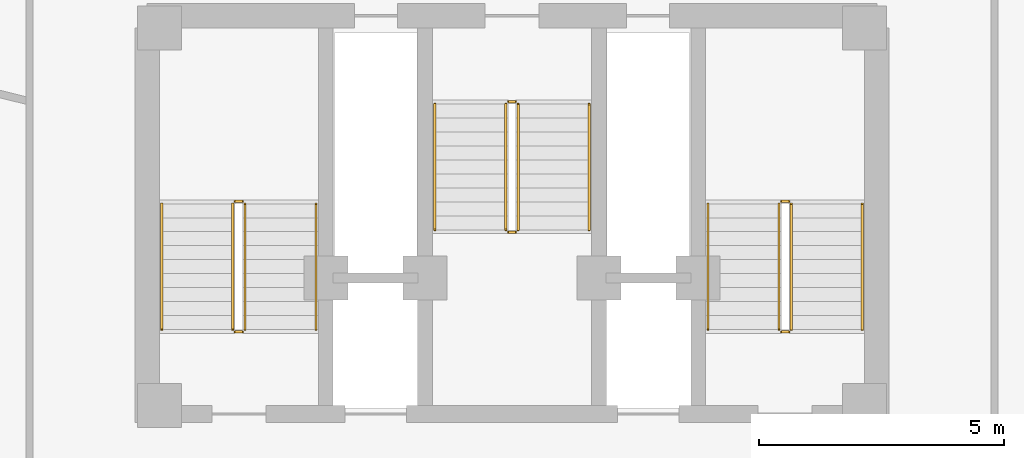
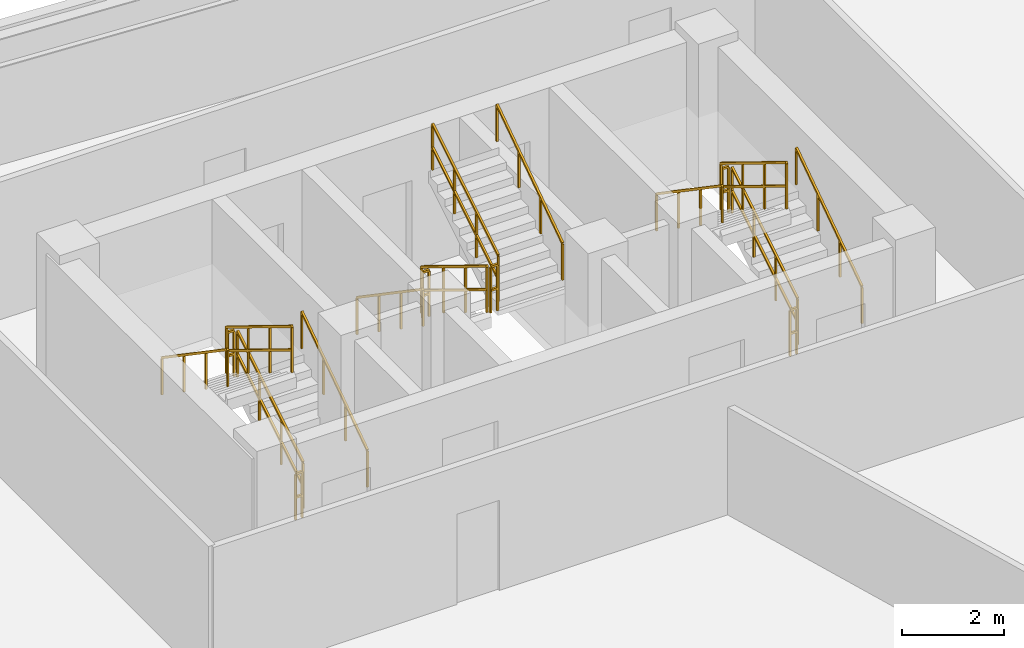
# One storey, part 5 of 5: 18 railings.
"""IFC4 building model written with IfcOpenShell, lengths in metres."""

from ifc_helpers import new_model, si_unit, direction, frame, origin, origin_2d, place, context, subcontext, project, spatial, rectangle, extrude, material, type_object, element, save


model = new_model("IFC4")

# Units and contexts
model_context = context("Model", 3, precision=1e-05, world=origin(), true_north=direction((0.0, 1.0)))
body_context = subcontext(model_context, "Body", "Model", "MODEL_VIEW")
ifc_project = project(units=[si_unit("LENGTHUNIT", "METRE"), si_unit("AREAUNIT", "SQUARE_METRE"), si_unit("VOLUMEUNIT", "CUBIC_METRE"), si_unit("PLANEANGLEUNIT", "RADIAN"), si_unit("MASSUNIT", "GRAM", prefix="KILO")], contexts=[model_context])

# Site, building, storey
site_placement = place(None, origin())
site = spatial("IfcSite", under=ifc_project, at=site_placement, CompositionType="ELEMENT")
building_placement = place(site_placement, origin())
building = spatial("IfcBuilding", under=site, at=building_placement, Name="Apsidion Concourse Tower", CompositionType="ELEMENT")
storey_placement = place(building_placement, frame((0.0, 0.0, 339.5)))
storey = spatial("IfcBuildingStorey", under=building, at=storey_placement, Name="L80", CompositionType="ELEMENT", Elevation=339.5)

# Railings
ifc_material = material(Name="Brushed stainless steel 316", Category="steel")
railing_type_1 = type_object("IfcRailingType", Name="RL-GUARD-1100", PredefinedType="GUARDRAIL", material=ifc_material)
railing_1_placement = place(storey_placement, frame((-5.449951171875, 3.0, 0.175048828125)))
element("IfcRailing", 1, at=railing_1_placement, inside=storey, type_object=railing_type_1, Name="L80 ST1 stair guard 1", PredefinedType="GUARDRAIL", context=body_context, shape_type="SweptSolid", body=[
    extrude(rectangle(XDim=0.048095703125, YDim=0.048095703125, at=origin_2d()), frame((0.0, 0.0, 1.09619140625), z_axis=(0.0, 0.852173129349, 0.523259933127), x_axis=(-1.0, 0.0, 0.0)), (0.0, 0.0, 1.0), 3.009765625),
    extrude(rectangle(XDim=0.048095703125, YDim=0.048095703125, at=origin_2d()), frame((0.0, 0.0, 0.5361328125), z_axis=(0.0, 0.852173129349, 0.523259933127), x_axis=(-1.0, 0.0, 0.0)), (0.0, 0.0, 1.0), 3.009765625),
    extrude(rectangle(XDim=0.0419921875, YDim=0.0419921875, at=origin_2d()), origin(), (0.0, 0.0, 1.0), 1.072021484375),
    extrude(rectangle(XDim=0.0419921875, YDim=0.0419921875, at=origin_2d()), frame((0.0, 0.85498046875, 0.52490234375)), (0.0, 0.0, 1.0), 1.072021484375),
    extrude(rectangle(XDim=0.0419921875, YDim=0.0419921875, at=origin_2d()), frame((0.0, 1.7099609375, 1.050048828125)), (0.0, 0.0, 1.0), 1.072021484375),
    extrude(rectangle(XDim=0.0419921875, YDim=0.0419921875, at=origin_2d()), frame((0.0, 2.56494140625, 1.574951171875)), (0.0, 0.0, 1.0), 1.072021484375),
])
railing_2_placement = place(storey_placement, frame((-5.5, 5.614990234375, 1.75)))
element("IfcRailing", 2, at=railing_2_placement, inside=storey, type_object=railing_type_1, Name="L80 ST1 stair guard 2", PredefinedType="GUARDRAIL", context=body_context, shape_type="SweptSolid", body=[
    extrude(rectangle(XDim=0.048095703125, YDim=0.048095703125, at=origin_2d()), frame((0.0, 0.0, 1.09619140625), z_axis=(-1.0, 0.0, 0.0), x_axis=(0.0, -1.0, 0.0)), (0.0, 0.0, 1.0), 0.14990234375),
    extrude(rectangle(XDim=0.048095703125, YDim=0.048095703125, at=origin_2d()), frame((0.0, 0.0, 0.5361328125), z_axis=(-1.0, 0.0, 0.0), x_axis=(0.0, -1.0, 0.0)), (0.0, 0.0, 1.0), 0.14990234375),
    extrude(rectangle(XDim=0.0419921875, YDim=0.0419921875, at=origin_2d()), origin(), (0.0, 0.0, 1.0), 1.072021484375),
    extrude(rectangle(XDim=0.0419921875, YDim=0.0419921875, at=origin_2d()), frame((-0.14990234375, 0.0, 0.0)), (0.0, 0.0, 1.0), 1.072021484375),
])
railing_3_placement = place(storey_placement, frame((-5.699951171875, 5.56494140625, 1.925048828125)))
element("IfcRailing", 3, at=railing_3_placement, inside=storey, type_object=railing_type_1, Name="L80 ST1 stair guard 3", PredefinedType="GUARDRAIL", context=body_context, shape_type="SweptSolid", body=[
    extrude(rectangle(XDim=0.048095703125, YDim=0.048095703125, at=origin_2d()), frame((0.0, 0.0, 1.09619140625), z_axis=(0.0, -0.852173129349, 0.523259933127), x_axis=(1.0, 0.0, 0.0)), (0.0, 0.0, 1.0), 3.009765625),
    extrude(rectangle(XDim=0.048095703125, YDim=0.048095703125, at=origin_2d()), frame((0.0, 0.0, 0.5361328125), z_axis=(0.0, -0.852173129349, 0.523259933127), x_axis=(1.0, 0.0, 0.0)), (0.0, 0.0, 1.0), 3.009765625),
    extrude(rectangle(XDim=0.0419921875, YDim=0.0419921875, at=origin_2d()), origin(), (0.0, 0.0, 1.0), 1.072021484375),
    extrude(rectangle(XDim=0.0419921875, YDim=0.0419921875, at=origin_2d()), frame((0.0, -0.85498046875, 0.52490234375)), (0.0, 0.0, 1.0), 1.072021484375),
    extrude(rectangle(XDim=0.0419921875, YDim=0.0419921875, at=origin_2d()), frame((0.0, -1.7099609375, 1.050048828125)), (0.0, 0.0, 1.0), 1.072021484375),
    extrude(rectangle(XDim=0.0419921875, YDim=0.0419921875, at=origin_2d()), frame((0.0, -2.56494140625, 1.574951171875)), (0.0, 0.0, 1.0), 1.072021484375),
])
railing_4_placement = place(storey_placement, frame((-5.5, 2.949951171875, 0.0)))
element("IfcRailing", 4, at=railing_4_placement, inside=storey, type_object=railing_type_1, Name="L80 ST1 stair guard 4", PredefinedType="GUARDRAIL", context=body_context, shape_type="SweptSolid", body=[
    extrude(rectangle(XDim=0.048095703125, YDim=0.048095703125, at=origin_2d()), frame((0.0, 0.0, 1.09619140625), z_axis=(-1.0, 0.0, 0.0), x_axis=(0.0, -1.0, 0.0)), (0.0, 0.0, 1.0), 0.14990234375),
    extrude(rectangle(XDim=0.048095703125, YDim=0.048095703125, at=origin_2d()), frame((0.0, 0.0, 0.5361328125), z_axis=(-1.0, 0.0, 0.0), x_axis=(0.0, -1.0, 0.0)), (0.0, 0.0, 1.0), 0.14990234375),
    extrude(rectangle(XDim=0.0419921875, YDim=0.0419921875, at=origin_2d()), origin(), (0.0, 0.0, 1.0), 1.072021484375),
    extrude(rectangle(XDim=0.0419921875, YDim=0.0419921875, at=origin_2d()), frame((-0.14990234375, 0.0, 0.0)), (0.0, 0.0, 1.0), 1.072021484375),
])
railing_5_placement = place(storey_placement, frame((5.699951171875, 3.0, 0.175048828125)))
element("IfcRailing", 5, at=railing_5_placement, inside=storey, type_object=railing_type_1, Name="L80 ST2 stair guard 1", PredefinedType="GUARDRAIL", context=body_context, shape_type="SweptSolid", body=[
    extrude(rectangle(XDim=0.048095703125, YDim=0.048095703125, at=origin_2d()), frame((0.0, 0.0, 1.09619140625), z_axis=(0.0, 0.852173129349, 0.523259933127), x_axis=(-1.0, 0.0, 0.0)), (0.0, 0.0, 1.0), 3.009765625),
    extrude(rectangle(XDim=0.048095703125, YDim=0.048095703125, at=origin_2d()), frame((0.0, 0.0, 0.5361328125), z_axis=(0.0, 0.852173129349, 0.523259933127), x_axis=(-1.0, 0.0, 0.0)), (0.0, 0.0, 1.0), 3.009765625),
    extrude(rectangle(XDim=0.0419921875, YDim=0.0419921875, at=origin_2d()), origin(), (0.0, 0.0, 1.0), 1.072021484375),
    extrude(rectangle(XDim=0.0419921875, YDim=0.0419921875, at=origin_2d()), frame((0.0, 0.85498046875, 0.52490234375)), (0.0, 0.0, 1.0), 1.072021484375),
    extrude(rectangle(XDim=0.0419921875, YDim=0.0419921875, at=origin_2d()), frame((0.0, 1.7099609375, 1.050048828125)), (0.0, 0.0, 1.0), 1.072021484375),
    extrude(rectangle(XDim=0.0419921875, YDim=0.0419921875, at=origin_2d()), frame((0.0, 2.56494140625, 1.574951171875)), (0.0, 0.0, 1.0), 1.072021484375),
])
railing_6_placement = place(storey_placement, frame((5.64990234375, 5.614990234375, 1.75)))
element("IfcRailing", 6, at=railing_6_placement, inside=storey, type_object=railing_type_1, Name="L80 ST2 stair guard 2", PredefinedType="GUARDRAIL", context=body_context, shape_type="SweptSolid", body=[
    extrude(rectangle(XDim=0.048095703125, YDim=0.048095703125, at=origin_2d()), frame((0.0, 0.0, 1.09619140625), z_axis=(-1.0, 0.0, 0.0), x_axis=(0.0, -1.0, 0.0)), (0.0, 0.0, 1.0), 0.14990234375),
    extrude(rectangle(XDim=0.048095703125, YDim=0.048095703125, at=origin_2d()), frame((0.0, 0.0, 0.5361328125), z_axis=(-1.0, 0.0, 0.0), x_axis=(0.0, -1.0, 0.0)), (0.0, 0.0, 1.0), 0.14990234375),
    extrude(rectangle(XDim=0.0419921875, YDim=0.0419921875, at=origin_2d()), origin(), (0.0, 0.0, 1.0), 1.072021484375),
    extrude(rectangle(XDim=0.0419921875, YDim=0.0419921875, at=origin_2d()), frame((-0.14990234375, 0.0, 0.0)), (0.0, 0.0, 1.0), 1.072021484375),
])
railing_7_placement = place(storey_placement, frame((5.449951171875, 5.56494140625, 1.925048828125)))
element("IfcRailing", 7, at=railing_7_placement, inside=storey, type_object=railing_type_1, Name="L80 ST2 stair guard 3", PredefinedType="GUARDRAIL", context=body_context, shape_type="SweptSolid", body=[
    extrude(rectangle(XDim=0.048095703125, YDim=0.048095703125, at=origin_2d()), frame((0.0, 0.0, 1.09619140625), z_axis=(0.0, -0.852173129349, 0.523259933127), x_axis=(1.0, 0.0, 0.0)), (0.0, 0.0, 1.0), 3.009765625),
    extrude(rectangle(XDim=0.048095703125, YDim=0.048095703125, at=origin_2d()), frame((0.0, 0.0, 0.5361328125), z_axis=(0.0, -0.852173129349, 0.523259933127), x_axis=(1.0, 0.0, 0.0)), (0.0, 0.0, 1.0), 3.009765625),
    extrude(rectangle(XDim=0.0419921875, YDim=0.0419921875, at=origin_2d()), origin(), (0.0, 0.0, 1.0), 1.072021484375),
    extrude(rectangle(XDim=0.0419921875, YDim=0.0419921875, at=origin_2d()), frame((0.0, -0.85498046875, 0.52490234375)), (0.0, 0.0, 1.0), 1.072021484375),
    extrude(rectangle(XDim=0.0419921875, YDim=0.0419921875, at=origin_2d()), frame((0.0, -1.7099609375, 1.050048828125)), (0.0, 0.0, 1.0), 1.072021484375),
    extrude(rectangle(XDim=0.0419921875, YDim=0.0419921875, at=origin_2d()), frame((0.0, -2.56494140625, 1.574951171875)), (0.0, 0.0, 1.0), 1.072021484375),
])
railing_8_placement = place(storey_placement, frame((5.64990234375, 2.949951171875, 0.0)))
element("IfcRailing", 8, at=railing_8_placement, inside=storey, type_object=railing_type_1, Name="L80 ST2 stair guard 4", PredefinedType="GUARDRAIL", context=body_context, shape_type="SweptSolid", body=[
    extrude(rectangle(XDim=0.048095703125, YDim=0.048095703125, at=origin_2d()), frame((0.0, 0.0, 1.09619140625), z_axis=(-1.0, 0.0, 0.0), x_axis=(0.0, -1.0, 0.0)), (0.0, 0.0, 1.0), 0.14990234375),
    extrude(rectangle(XDim=0.048095703125, YDim=0.048095703125, at=origin_2d()), frame((0.0, 0.0, 0.5361328125), z_axis=(-1.0, 0.0, 0.0), x_axis=(0.0, -1.0, 0.0)), (0.0, 0.0, 1.0), 0.14990234375),
    extrude(rectangle(XDim=0.0419921875, YDim=0.0419921875, at=origin_2d()), origin(), (0.0, 0.0, 1.0), 1.072021484375),
    extrude(rectangle(XDim=0.0419921875, YDim=0.0419921875, at=origin_2d()), frame((-0.14990234375, 0.0, 0.0)), (0.0, 0.0, 1.0), 1.072021484375),
])
railing_9_placement = place(storey_placement, frame((-0.125, 7.60009765625, 0.175048828125)))
element("IfcRailing", 9, at=railing_9_placement, inside=storey, type_object=railing_type_1, Name="L80 ST3 stair guard 1", PredefinedType="GUARDRAIL", context=body_context, shape_type="SweptSolid", body=[
    extrude(rectangle(XDim=0.048095703125, YDim=0.048095703125, at=origin_2d()), frame((0.0, 0.0, 1.09619140625), z_axis=(0.0, -0.852195335862, 0.523223766217), x_axis=(1.0, 0.0, 0.0)), (0.0, 0.0, 1.0), 3.010009765625),
    extrude(rectangle(XDim=0.048095703125, YDim=0.048095703125, at=origin_2d()), frame((0.0, 0.0, 0.5361328125), z_axis=(0.0, -0.852195335862, 0.523223766217), x_axis=(1.0, 0.0, 0.0)), (0.0, 0.0, 1.0), 3.010009765625),
    extrude(rectangle(XDim=0.0419921875, YDim=0.0419921875, at=origin_2d()), origin(), (0.0, 0.0, 1.0), 1.072021484375),
    extrude(rectangle(XDim=0.0419921875, YDim=0.0419921875, at=origin_2d()), frame((0.0, -0.85498046875, 0.52490234375)), (0.0, 0.0, 1.0), 1.072021484375),
    extrude(rectangle(XDim=0.0419921875, YDim=0.0419921875, at=origin_2d()), frame((0.0, -1.710205078125, 1.050048828125)), (0.0, 0.0, 1.0), 1.072021484375),
    extrude(rectangle(XDim=0.0419921875, YDim=0.0419921875, at=origin_2d()), frame((0.0, -2.565185546875, 1.574951171875)), (0.0, 0.0, 1.0), 1.072021484375),
])
railing_10_placement = place(storey_placement, frame((-0.074951171875, 4.985107421875, 1.75)))
element("IfcRailing", 10, at=railing_10_placement, inside=storey, type_object=railing_type_1, Name="L80 ST3 stair guard 2", PredefinedType="GUARDRAIL", context=body_context, shape_type="SweptSolid", body=[
    extrude(rectangle(XDim=0.048095703125, YDim=0.048095703125, at=origin_2d()), frame((0.0, 0.0, 1.09619140625), z_axis=(1.0, 0.0, 0.0), x_axis=(0.0, 1.0, 0.0)), (0.0, 0.0, 1.0), 0.14990234375),
    extrude(rectangle(XDim=0.048095703125, YDim=0.048095703125, at=origin_2d()), frame((0.0, 0.0, 0.5361328125), z_axis=(1.0, 0.0, 0.0), x_axis=(0.0, 1.0, 0.0)), (0.0, 0.0, 1.0), 0.14990234375),
    extrude(rectangle(XDim=0.0419921875, YDim=0.0419921875, at=origin_2d()), origin(), (0.0, 0.0, 1.0), 1.072021484375),
    extrude(rectangle(XDim=0.0419921875, YDim=0.0419921875, at=origin_2d()), frame((0.14990234375, 0.0, 0.0)), (0.0, 0.0, 1.0), 1.072021484375),
])
railing_11_placement = place(storey_placement, frame((0.125, 5.034912109375, 1.925048828125)))
element("IfcRailing", 11, at=railing_11_placement, inside=storey, type_object=railing_type_1, Name="L80 ST3 stair guard 3", PredefinedType="GUARDRAIL", context=body_context, shape_type="SweptSolid", body=[
    extrude(rectangle(XDim=0.048095703125, YDim=0.048095703125, at=origin_2d()), frame((0.0, 0.0, 1.09619140625), z_axis=(0.0, 0.852195335862, 0.523223766217), x_axis=(-1.0, 0.0, 0.0)), (0.0, 0.0, 1.0), 3.010009765625),
    extrude(rectangle(XDim=0.048095703125, YDim=0.048095703125, at=origin_2d()), frame((0.0, 0.0, 0.5361328125), z_axis=(0.0, 0.852195335862, 0.523223766217), x_axis=(-1.0, 0.0, 0.0)), (0.0, 0.0, 1.0), 3.010009765625),
    extrude(rectangle(XDim=0.0419921875, YDim=0.0419921875, at=origin_2d()), origin(), (0.0, 0.0, 1.0), 1.072021484375),
    extrude(rectangle(XDim=0.0419921875, YDim=0.0419921875, at=origin_2d()), frame((0.0, 0.85498046875, 0.52490234375)), (0.0, 0.0, 1.0), 1.072021484375),
    extrude(rectangle(XDim=0.0419921875, YDim=0.0419921875, at=origin_2d()), frame((0.0, 1.710205078125, 1.050048828125)), (0.0, 0.0, 1.0), 1.072021484375),
    extrude(rectangle(XDim=0.0419921875, YDim=0.0419921875, at=origin_2d()), frame((0.0, 2.565185546875, 1.574951171875)), (0.0, 0.0, 1.0), 1.072021484375),
])
railing_12_placement = place(storey_placement, frame((-0.074951171875, 7.64990234375, 0.0)))
element("IfcRailing", 12, at=railing_12_placement, inside=storey, type_object=railing_type_1, Name="L80 ST3 stair guard 4", PredefinedType="GUARDRAIL", context=body_context, shape_type="SweptSolid", body=[
    extrude(rectangle(XDim=0.048095703125, YDim=0.048095703125, at=origin_2d()), frame((0.0, 0.0, 1.09619140625), z_axis=(1.0, 0.0, 0.0), x_axis=(0.0, 1.0, 0.0)), (0.0, 0.0, 1.0), 0.14990234375),
    extrude(rectangle(XDim=0.048095703125, YDim=0.048095703125, at=origin_2d()), frame((0.0, 0.0, 0.5361328125), z_axis=(1.0, 0.0, 0.0), x_axis=(0.0, 1.0, 0.0)), (0.0, 0.0, 1.0), 0.14990234375),
    extrude(rectangle(XDim=0.0419921875, YDim=0.0419921875, at=origin_2d()), origin(), (0.0, 0.0, 1.0), 1.072021484375),
    extrude(rectangle(XDim=0.0419921875, YDim=0.0419921875, at=origin_2d()), frame((0.14990234375, 0.0, 0.0)), (0.0, 0.0, 1.0), 1.072021484375),
])
railing_type_2 = type_object("IfcRailingType", Name="RL-HAND-900", PredefinedType="HANDRAIL", material=ifc_material)
railing_13_placement = place(storey_placement, frame((-4.0, 3.0, 0.175048828125)))
element("IfcRailing", 13, at=railing_13_placement, inside=storey, type_object=railing_type_2, Name="L80 ST1 stair handrail 1", PredefinedType="HANDRAIL", context=body_context, shape_type="SweptSolid", body=[
    extrude(rectangle(XDim=0.048095703125, YDim=0.048095703125, at=origin_2d()), frame((0.0, 0.0, 0.8759765625), z_axis=(0.0, 0.826050974716, 0.563595410885), x_axis=(-1.0, 0.0, 0.0)), (0.0, 0.0, 1.0), 3.10498046875),
    extrude(rectangle(XDim=0.0419921875, YDim=0.0419921875, at=origin_2d()), origin(), (0.0, 0.0, 1.0), 0.851806640625),
    extrude(rectangle(XDim=0.0419921875, YDim=0.0419921875, at=origin_2d()), frame((0.0, 0.85498046875, 0.583251953125)), (0.0, 0.0, 1.0), 0.851806640625),
    extrude(rectangle(XDim=0.0419921875, YDim=0.0419921875, at=origin_2d()), frame((0.0, 1.7099609375, 1.166748046875)), (0.0, 0.0, 1.0), 0.851806640625),
    extrude(rectangle(XDim=0.0419921875, YDim=0.0419921875, at=origin_2d()), frame((0.0, 2.56494140625, 1.75)), (0.0, 0.0, 1.0), 0.851806640625),
])
railing_14_placement = place(storey_placement, frame((-7.14990234375, 5.56494140625, 1.925048828125)))
element("IfcRailing", 14, at=railing_14_placement, inside=storey, type_object=railing_type_2, Name="L80 ST1 stair handrail 2", PredefinedType="HANDRAIL", context=body_context, shape_type="SweptSolid", body=[
    extrude(rectangle(XDim=0.048095703125, YDim=0.048095703125, at=origin_2d()), frame((0.0, 0.0, 0.8759765625), z_axis=(0.0, -0.826050974716, 0.563595410885), x_axis=(1.0, 0.0, 0.0)), (0.0, 0.0, 1.0), 3.10498046875),
    extrude(rectangle(XDim=0.0419921875, YDim=0.0419921875, at=origin_2d()), origin(), (0.0, 0.0, 1.0), 0.851806640625),
    extrude(rectangle(XDim=0.0419921875, YDim=0.0419921875, at=origin_2d()), frame((0.0, -0.85498046875, 0.583251953125)), (0.0, 0.0, 1.0), 0.851806640625),
    extrude(rectangle(XDim=0.0419921875, YDim=0.0419921875, at=origin_2d()), frame((0.0, -1.7099609375, 1.166748046875)), (0.0, 0.0, 1.0), 0.851806640625),
    extrude(rectangle(XDim=0.0419921875, YDim=0.0419921875, at=origin_2d()), frame((0.0, -2.56494140625, 1.75)), (0.0, 0.0, 1.0), 0.851806640625),
])
railing_15_placement = place(storey_placement, frame((7.14990234375, 3.0, 0.175048828125)))
element("IfcRailing", 15, at=railing_15_placement, inside=storey, type_object=railing_type_2, Name="L80 ST2 stair handrail 1", PredefinedType="HANDRAIL", context=body_context, shape_type="SweptSolid", body=[
    extrude(rectangle(XDim=0.048095703125, YDim=0.048095703125, at=origin_2d()), frame((0.0, 0.0, 0.8759765625), z_axis=(0.0, 0.826050974716, 0.563595410885), x_axis=(-1.0, 0.0, 0.0)), (0.0, 0.0, 1.0), 3.10498046875),
    extrude(rectangle(XDim=0.0419921875, YDim=0.0419921875, at=origin_2d()), origin(), (0.0, 0.0, 1.0), 0.851806640625),
    extrude(rectangle(XDim=0.0419921875, YDim=0.0419921875, at=origin_2d()), frame((0.0, 0.85498046875, 0.583251953125)), (0.0, 0.0, 1.0), 0.851806640625),
    extrude(rectangle(XDim=0.0419921875, YDim=0.0419921875, at=origin_2d()), frame((0.0, 1.7099609375, 1.166748046875)), (0.0, 0.0, 1.0), 0.851806640625),
    extrude(rectangle(XDim=0.0419921875, YDim=0.0419921875, at=origin_2d()), frame((0.0, 2.56494140625, 1.75)), (0.0, 0.0, 1.0), 0.851806640625),
])
railing_16_placement = place(storey_placement, frame((4.0, 5.56494140625, 1.925048828125)))
element("IfcRailing", 16, at=railing_16_placement, inside=storey, type_object=railing_type_2, Name="L80 ST2 stair handrail 2", PredefinedType="HANDRAIL", context=body_context, shape_type="SweptSolid", body=[
    extrude(rectangle(XDim=0.048095703125, YDim=0.048095703125, at=origin_2d()), frame((0.0, 0.0, 0.8759765625), z_axis=(0.0, -0.826050974716, 0.563595410885), x_axis=(1.0, 0.0, 0.0)), (0.0, 0.0, 1.0), 3.10498046875),
    extrude(rectangle(XDim=0.0419921875, YDim=0.0419921875, at=origin_2d()), origin(), (0.0, 0.0, 1.0), 0.851806640625),
    extrude(rectangle(XDim=0.0419921875, YDim=0.0419921875, at=origin_2d()), frame((0.0, -0.85498046875, 0.583251953125)), (0.0, 0.0, 1.0), 0.851806640625),
    extrude(rectangle(XDim=0.0419921875, YDim=0.0419921875, at=origin_2d()), frame((0.0, -1.7099609375, 1.166748046875)), (0.0, 0.0, 1.0), 0.851806640625),
    extrude(rectangle(XDim=0.0419921875, YDim=0.0419921875, at=origin_2d()), frame((0.0, -2.56494140625, 1.75)), (0.0, 0.0, 1.0), 0.851806640625),
])
railing_17_placement = place(storey_placement, frame((-1.574951171875, 7.60009765625, 0.175048828125)))
element("IfcRailing", 17, at=railing_17_placement, inside=storey, type_object=railing_type_2, Name="L80 ST3 stair handrail 1", PredefinedType="HANDRAIL", context=body_context, shape_type="SweptSolid", body=[
    extrude(rectangle(XDim=0.048095703125, YDim=0.048095703125, at=origin_2d()), frame((0.0, 0.0, 0.8759765625), z_axis=(0.0, -0.826075947217, 0.563558807428), x_axis=(1.0, 0.0, 0.0)), (0.0, 0.0, 1.0), 3.105224609375),
    extrude(rectangle(XDim=0.0419921875, YDim=0.0419921875, at=origin_2d()), origin(), (0.0, 0.0, 1.0), 0.851806640625),
    extrude(rectangle(XDim=0.0419921875, YDim=0.0419921875, at=origin_2d()), frame((0.0, -0.85498046875, 0.583251953125)), (0.0, 0.0, 1.0), 0.851806640625),
    extrude(rectangle(XDim=0.0419921875, YDim=0.0419921875, at=origin_2d()), frame((0.0, -1.710205078125, 1.166748046875)), (0.0, 0.0, 1.0), 0.851806640625),
    extrude(rectangle(XDim=0.0419921875, YDim=0.0419921875, at=origin_2d()), frame((0.0, -2.565185546875, 1.75)), (0.0, 0.0, 1.0), 0.851806640625),
])
railing_18_placement = place(storey_placement, frame((1.574951171875, 5.034912109375, 1.925048828125)))
element("IfcRailing", 18, at=railing_18_placement, inside=storey, type_object=railing_type_2, Name="L80 ST3 stair handrail 2", PredefinedType="HANDRAIL", context=body_context, shape_type="SweptSolid", body=[
    extrude(rectangle(XDim=0.048095703125, YDim=0.048095703125, at=origin_2d()), frame((0.0, 0.0, 0.8759765625), z_axis=(0.0, 0.826075947217, 0.563558807428), x_axis=(-1.0, 0.0, 0.0)), (0.0, 0.0, 1.0), 3.105224609375),
    extrude(rectangle(XDim=0.0419921875, YDim=0.0419921875, at=origin_2d()), origin(), (0.0, 0.0, 1.0), 0.851806640625),
    extrude(rectangle(XDim=0.0419921875, YDim=0.0419921875, at=origin_2d()), frame((0.0, 0.85498046875, 0.583251953125)), (0.0, 0.0, 1.0), 0.851806640625),
    extrude(rectangle(XDim=0.0419921875, YDim=0.0419921875, at=origin_2d()), frame((0.0, 1.710205078125, 1.166748046875)), (0.0, 0.0, 1.0), 0.851806640625),
    extrude(rectangle(XDim=0.0419921875, YDim=0.0419921875, at=origin_2d()), frame((0.0, 2.565185546875, 1.75)), (0.0, 0.0, 1.0), 0.851806640625),
])

save(model, "model.ifc")
